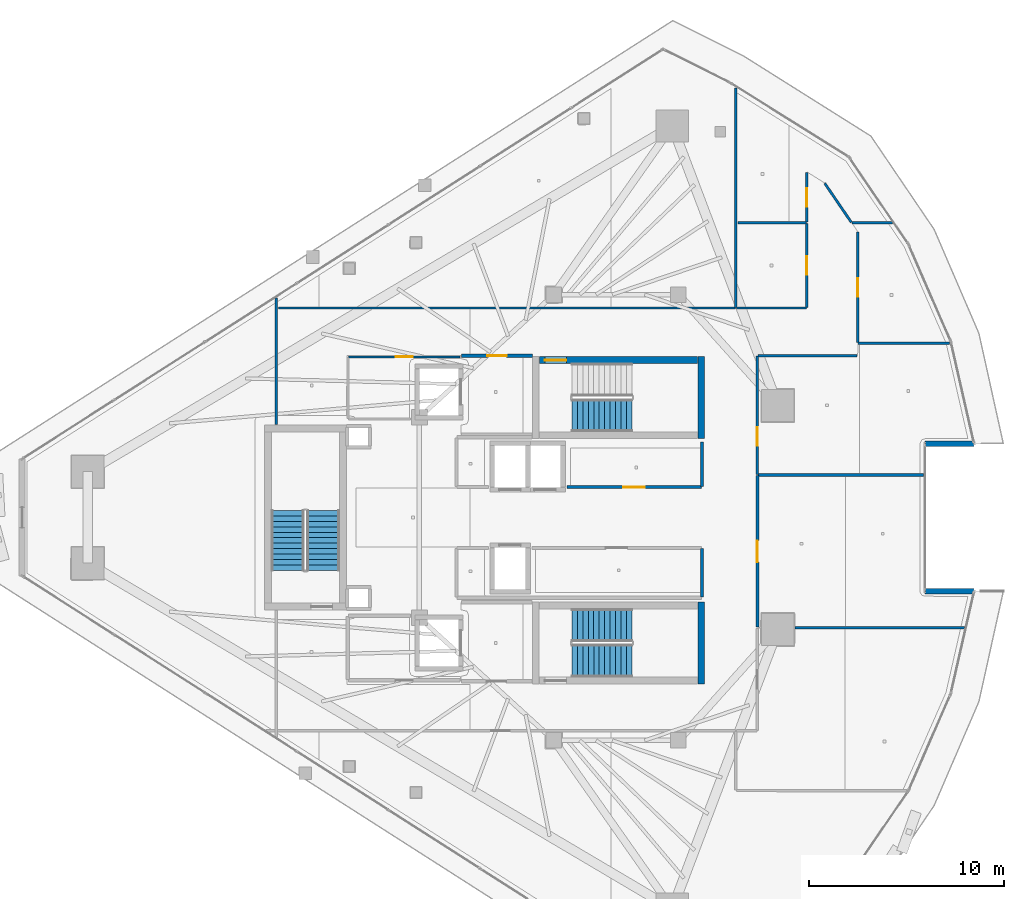
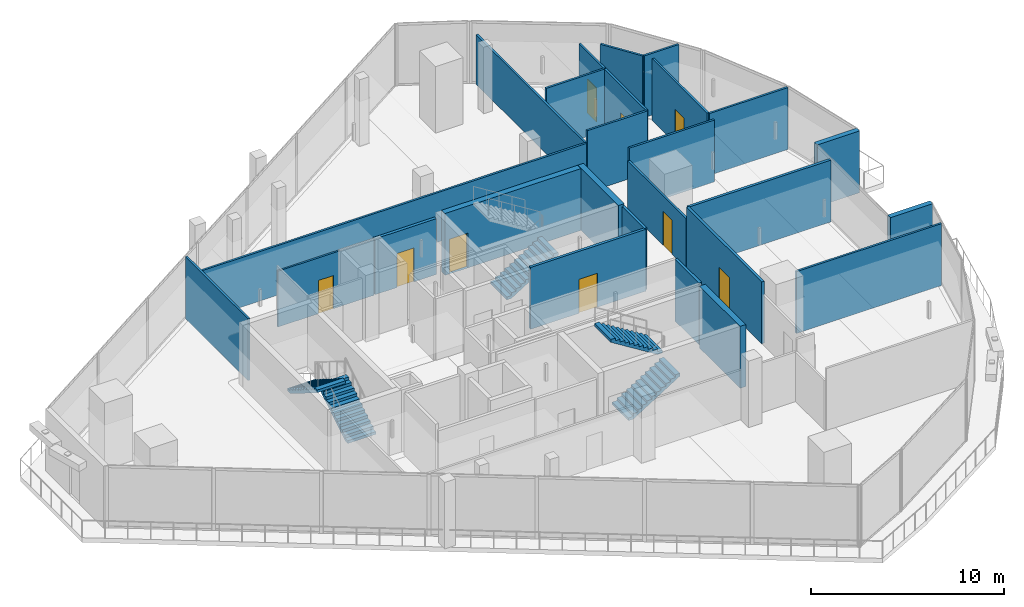
# One storey, part 26 of 34: 26 walls, 9 doors, 5 stair flights, 9 openings, 3 elements without a shape of their own.
"""IFC4 building model written with IfcOpenShell, lengths in metres."""

from ifc_helpers import new_model, si_unit, direction, frame, frame_2d, origin, place, context, subcontext, project, spatial, polyline, rectangle, outline, extrude, material, layer, layer_set, type_object, element, fill, aggregate, save


model = new_model("IFC4")

# Units and contexts
model_context = context("Model", 3, precision=1e-05, world=origin(), true_north=direction((0.0, 1.0)))
body_context = subcontext(model_context, "Body", "Model", "MODEL_VIEW")
ifc_project = project(units=[si_unit("LENGTHUNIT", "METRE"), si_unit("AREAUNIT", "SQUARE_METRE"), si_unit("VOLUMEUNIT", "CUBIC_METRE"), si_unit("PLANEANGLEUNIT", "RADIAN"), si_unit("MASSUNIT", "GRAM", prefix="KILO")], contexts=[model_context])

# Site, building, storey
site_placement = place(None, origin())
site = spatial("IfcSite", under=ifc_project, at=site_placement, CompositionType="ELEMENT")
building_placement = place(site_placement, origin())
building = spatial("IfcBuilding", under=site, at=building_placement, Name="Qorvath Tower", CompositionType="ELEMENT")
storey_placement = place(building_placement, frame((0.0, 0.0, 268.199951171875)))
storey = spatial("IfcBuildingStorey", under=building, at=storey_placement, Name="L62", CompositionType="ELEMENT", Elevation=268.199951171875)

# Wall, opening, door
ifc_material_1 = material(Name="Gypsum shaftliner on steel studs", Category="steel")
ifc_layer_1 = layer(ifc_material_1, 0.179931640625)
ifc_layer_set_1 = layer_set([ifc_layer_1], Name="FW-LOBBY")
wall_type_1 = type_object("IfcWallType", Name="FW-LOBBY", PredefinedType="PARTITIONING", material=ifc_layer_set_1)
wall_1_placement = place(storey_placement, frame((-24.68408203125, 8.300048828125, 0.0), z_axis=(0.0, 0.0, 1.0), x_axis=(-1.0, 0.0, 0.0)))
wall_1 = element("IfcWall", 1, at=wall_1_placement, inside=storey, type_object=wall_type_1, Name="Interior Partition IW-T1-L62-002", PredefinedType="PARTITIONING", context=body_context, shape_type="SweptSolid", body=[
    extrude(rectangle(XDim=3.6708984375, YDim=0.179931640625, at=frame_2d((1.83544921875, 0.0))), origin(), (0.0, 0.0, 1.0), 3.529052734375),
])
opening_1_placement = place(wall_1_placement, frame((1.33544921875, 0.0, 0.0)))
opening_1 = element("IfcOpeningElement", 2, at=opening_1_placement, cuts=wall_1, Name="Opening D-T1-L62-01", PredefinedType="OPENING", context=body_context, shape_type="SweptSolid", body=[
    extrude(rectangle(XDim=1.0, YDim=2.14990234375, at=frame_2d((0.5, 1.074951171875))), frame((0.0, 0.10009765625, 0.0), z_axis=(0.0, -1.0, 0.0), x_axis=(1.0, 0.0, 0.0)), (0.0, 0.0, 1.0), 0.199951171875),
])
ifc_material_2 = material(Name="Painted galvanised hollow metal", Category="steel")
door_type_1 = type_object("IfcDoorType", Name="FD-60", OperationType="NOTDEFINED", PredefinedType="DOOR", material=ifc_material_2)
door_1_placement = place(opening_1_placement, origin())
door_1 = element("IfcDoor", 3, at=door_1_placement, inside=storey, type_object=door_type_1, Name="Lobby Fire Service Elevator North Door D-T1-L62-01", OperationType="SINGLE_SWING_RIGHT", OverallHeight=2.14990234375, OverallWidth=1.0, PredefinedType="DOOR", context=body_context, shape_type="SweptSolid", body=[
    extrude(rectangle(XDim=1.0, YDim=2.14990234375, at=frame_2d((0.5, 1.074951171875))), frame((0.0, 0.02490234375, 0.0), z_axis=(0.0, -1.0, 0.0), x_axis=(1.0, 0.0, 0.0)), (0.0, 0.0, 1.0), 0.050048828125),
])
fill(opening_1, door_1)

ifc_material_3 = material(Name="Double acoustic gypsum board on steel studs", Category="steel")
ifc_layer_2 = layer(ifc_material_3, 0.159912109375)
ifc_layer_set_2 = layer_set([ifc_layer_2], Name="IW-ACOUSTIC-160")
wall_type_2 = type_object("IfcWallType", Name="IW-ACOUSTIC-160", PredefinedType="PARTITIONING", material=ifc_layer_set_2)
wall_2_placement = place(storey_placement, frame((-22.933837890625, 1.56005859375, 0.0), z_axis=(0.0, 0.0, 1.0), x_axis=(1.0, 0.0, 0.0)))
wall_2 = element("IfcWall", 4, at=wall_2_placement, inside=storey, type_object=wall_type_2, Name="Interior Partition IW-T1-L62-010", PredefinedType="PARTITIONING", context=body_context, shape_type="SweptSolid", body=[
    extrude(rectangle(XDim=6.908935546875, YDim=0.159912109375, at=frame_2d((3.45458984375, 0.0))), origin(), (0.0, 0.0, 1.0), 3.91015625),
])
opening_2_placement = place(wall_2_placement, frame((2.904541015625, 0.0, 0.0)))
opening_2 = element("IfcOpeningElement", 5, at=opening_2_placement, cuts=wall_2, Name="Opening D-T1-L62-04", PredefinedType="OPENING", context=body_context, shape_type="SweptSolid", body=[
    extrude(rectangle(XDim=1.10009765625, YDim=2.14990234375, at=frame_2d((0.550048828125, 1.074951171875))), frame((0.0, 0.08984375, 0.0), z_axis=(0.0, -1.0, 0.0), x_axis=(1.0, 0.0, 0.0)), (0.0, 0.0, 1.0), 0.179931640625),
])
ifc_material_4 = material(Name="Anodised aluminium acoustic framed glass", Category="aluminium")
door_type_2 = type_object("IfcDoorType", Name="D-03", OperationType="NOTDEFINED", PredefinedType="DOOR", material=ifc_material_4)
door_2_placement = place(opening_2_placement, origin())
door_2 = element("IfcDoor", 6, at=door_2_placement, inside=storey, type_object=door_type_2, Name="L62-RCN North Executive Boardroom Door D-T1-L62-04", OperationType="SINGLE_SWING_LEFT", OverallHeight=2.14990234375, OverallWidth=1.10009765625, PredefinedType="DOOR", context=body_context, shape_type="SweptSolid", body=[
    extrude(rectangle(XDim=1.10009765625, YDim=2.14990234375, at=frame_2d((0.550048828125, 1.074951171875))), frame((0.0, 0.02490234375, 0.0), z_axis=(0.0, -1.0, 0.0), x_axis=(1.0, 0.0, 0.0)), (0.0, 0.0, 1.0), 0.050048828125),
])
fill(opening_2, door_2)

# Walls
wall_3_placement = place(storey_placement, frame((-16.0, 1.585205078125, 0.0), z_axis=(0.0, 0.0, 1.0), x_axis=(0.0, 1.0, 0.0)))
element("IfcWall", 7, at=wall_3_placement, inside=storey, type_object=wall_type_2, Name="Interior Partition IW-T1-L62-011", PredefinedType="PARTITIONING", context=body_context, shape_type="SweptSolid", body=[
    extrude(rectangle(XDim=2.30224609375, YDim=0.159912109375, at=frame_2d((1.151123046875, 0.0))), origin(), (0.0, 0.0, 1.0), 3.91015625),
])
wall_4_placement = place(storey_placement, frame((-16.0, -4.09521484375, 0.0), z_axis=(0.0, 0.0, 1.0), x_axis=(0.0, 1.0, 0.0)))
element("IfcWall", 8, at=wall_4_placement, inside=storey, type_object=wall_type_2, Name="Interior Partition IW-T1-L62-015", PredefinedType="PARTITIONING", context=body_context, shape_type="SweptSolid", body=[
    extrude(rectangle(XDim=2.510009765625, YDim=0.159912109375, at=frame_2d((1.2548828125, 0.0))), origin(), (0.0, 0.0, 1.0), 3.91015625),
])
wall_5_placement = place(storey_placement, frame((-4.61865234375, 2.18408203125, 0.0), z_axis=(0.0, 0.0, 1.0), x_axis=(-1.0, 0.0, 0.0)))
element("IfcWall", 9, at=wall_5_placement, inside=storey, type_object=wall_type_2, Name="Interior Partition IW-T1-L62-031", PredefinedType="PARTITIONING", context=body_context, shape_type="SweptSolid", body=[
    extrude(rectangle(XDim=8.49853515625, YDim=0.159912109375, at=frame_2d((4.249267578125, 0.0))), origin(), (0.0, 0.0, 1.0), 3.91015625),
])

# Wall, opening, door
wall_6_placement = place(storey_placement, frame((-13.14208984375, 2.1591796875, 0.0), z_axis=(0.0, 0.0, 1.0), x_axis=(0.0, -1.0, 0.0)))
wall_6 = element("IfcWall", 10, at=wall_6_placement, inside=storey, type_object=wall_type_2, Name="Interior Partition IW-T1-L62-032", PredefinedType="PARTITIONING", context=body_context, shape_type="SweptSolid", body=[
    extrude(rectangle(XDim=7.79296875, YDim=0.159912109375, at=frame_2d((3.896484375, 0.0))), origin(), (0.0, 0.0, 1.0), 3.91015625),
])
opening_3_placement = place(wall_6_placement, frame((3.346435546875, 0.0, 0.0)))
opening_3 = element("IfcOpeningElement", 11, at=opening_3_placement, cuts=wall_6, Name="Opening D-T1-L62-09", PredefinedType="OPENING", context=body_context, shape_type="SweptSolid", body=[
    extrude(rectangle(XDim=1.10009765625, YDim=2.14990234375, at=frame_2d((0.550048828125, 1.074951171875))), frame((0.0, 0.08984375, 0.0), z_axis=(0.0, -1.0, 0.0), x_axis=(1.0, 0.0, 0.0)), (0.0, 0.0, 1.0), 0.179931640625),
])
door_3_placement = place(opening_3_placement, origin())
door_3 = element("IfcDoor", 12, at=door_3_placement, inside=storey, type_object=door_type_2, Name="L62-03 Client Services Office Door D-T1-L62-09", OperationType="SINGLE_SWING_RIGHT", OverallHeight=2.14990234375, OverallWidth=1.10009765625, PredefinedType="DOOR", context=body_context, shape_type="SweptSolid", body=[
    extrude(rectangle(XDim=1.10009765625, YDim=2.14990234375, at=frame_2d((0.550048828125, 1.074951171875))), frame((0.0, 0.02490234375, 0.0), z_axis=(0.0, -1.0, 0.0), x_axis=(1.0, 0.0, 0.0)), (0.0, 0.0, 1.0), 0.050048828125),
])
fill(opening_3, door_3)

# Walls
ifc_material_5 = material(Name="Gypsum board on metal studs with mineral wool", Category="gypsum")
ifc_layer_3 = layer(ifc_material_5, 0.125)
ifc_layer_set_3 = layer_set([ifc_layer_3], Name="IW-PART-125")
wall_type_3 = type_object("IfcWallType", Name="IW-PART-125", PredefinedType="PARTITIONING", material=ifc_layer_set_3)
wall_7_placement = place(storey_placement, frame((-37.85791015625, 11.265380859375, 0.0), z_axis=(0.0, 0.0, 1.0), x_axis=(0.0, -1.0, 0.0)))
element("IfcWall", 13, at=wall_7_placement, inside=storey, type_object=wall_type_3, Name="Interior Partition IW-T1-L62-025", PredefinedType="PARTITIONING", context=body_context, shape_type="SweptSolid", body=[
    extrude(rectangle(XDim=6.482177734375, YDim=0.125, at=frame_2d((3.2412109375, 0.0))), origin(), (0.0, 0.0, 1.0), 3.91015625),
])
wall_8_placement = place(storey_placement, frame((-14.27490234375, 10.758056640625, 0.0), z_axis=(0.0, 0.0, 1.0), x_axis=(-1.0, 0.0, 0.0)))
element("IfcWall", 14, at=wall_8_placement, inside=storey, type_object=wall_type_3, Name="Interior Partition IW-T1-L62-026", PredefinedType="PARTITIONING", context=body_context, shape_type="SweptSolid", body=[
    extrude(rectangle(XDim=23.472900390625, YDim=0.125, at=frame_2d((11.736328125, 0.0))), origin(), (0.0, 0.0, 1.0), 3.130126953125),
])
wall_9_placement = place(storey_placement, frame((-14.25, 10.783203125, 0.0), z_axis=(0.0, 0.0, 1.0), x_axis=(0.0, 1.0, 0.0)))
element("IfcWall", 15, at=wall_9_placement, inside=storey, type_object=wall_type_3, Name="Interior Partition IW-T1-L62-027", PredefinedType="PARTITIONING", context=body_context, shape_type="SweptSolid", body=[
    extrude(rectangle(XDim=11.279541015625, YDim=0.125, at=frame_2d((5.6396484375, 0.0))), origin(), (0.0, 0.0, 1.0), 3.130126953125),
])
wall_10_placement = place(storey_placement, frame((-2.519775390625, -5.666748046875, 0.0), z_axis=(0.0, 0.0, 1.0), x_axis=(-1.0, 0.0, 0.0)))
element("IfcWall", 16, at=wall_10_placement, inside=storey, type_object=wall_type_3, Name="Interior Partition IW-T1-L62-028", PredefinedType="PARTITIONING", context=body_context, shape_type="SweptSolid", body=[
    extrude(rectangle(XDim=8.68701171875, YDim=0.125, at=frame_2d((4.343505859375, 0.0))), origin(), (0.0, 0.0, 1.0), 3.91015625),
])
wall_11_placement = place(storey_placement, frame((-3.26806640625, 8.943115234375, 0.0), z_axis=(0.0, 0.0, 1.0), x_axis=(-1.0, 0.0, 0.0)))
element("IfcWall", 17, at=wall_11_placement, inside=storey, type_object=wall_type_3, Name="Interior Partition IW-T1-L62-033", PredefinedType="PARTITIONING", context=body_context, shape_type="SweptSolid", body=[
    extrude(rectangle(XDim=4.69873046875, YDim=0.125, at=frame_2d((2.349365234375, 0.0))), origin(), (0.0, 0.0, 1.0), 3.91015625),
])
wall_12_placement = place(storey_placement, frame((-8.016845703125, 8.31201171875, 0.0), z_axis=(0.0, 0.0, 1.0), x_axis=(-1.0, 0.0, 0.0)))
element("IfcWall", 18, at=wall_12_placement, inside=storey, type_object=wall_type_3, Name="Interior Partition IW-T1-L62-034", PredefinedType="PARTITIONING", context=body_context, shape_type="SweptSolid", body=[
    extrude(rectangle(XDim=5.100341796875, YDim=0.125, at=frame_2d((2.55029296875, 0.0))), origin(), (0.0, 0.0, 1.0), 3.91015625),
])

# Wall, opening, door
wall_13_placement = place(storey_placement, frame((-13.14208984375, 8.287109375, 0.0), z_axis=(0.0, 0.0, 1.0), x_axis=(0.0, -1.0, 0.0)))
wall_13 = element("IfcWall", 19, at=wall_13_placement, inside=storey, type_object=wall_type_3, Name="Interior Partition IW-T1-L62-035", PredefinedType="PARTITIONING", context=body_context, shape_type="SweptSolid", body=[
    extrude(rectangle(XDim=6.070068359375, YDim=0.125, at=frame_2d((3.03515625, 0.0))), origin(), (0.0, 0.0, 1.0), 3.130126953125),
])
opening_4_placement = place(wall_13_placement, frame((3.6572265625, 0.0, 0.0)))
opening_4 = element("IfcOpeningElement", 20, at=opening_4_placement, cuts=wall_13, Name="Opening D-T1-L62-10", PredefinedType="OPENING", context=body_context, shape_type="SweptSolid", body=[
    extrude(rectangle(XDim=0.949951171875, YDim=2.14990234375, at=frame_2d((0.47509765625, 1.074951171875))), frame((0.0, 0.072509765625, 0.0), z_axis=(0.0, -1.0, 0.0), x_axis=(1.0, 0.0, 0.0)), (0.0, 0.0, 1.0), 0.14501953125),
])
ifc_material_6 = material(Name="Solid-core American white oak veneer", Category="wood")
door_type_3 = type_object("IfcDoorType", Name="D-01", OperationType="NOTDEFINED", PredefinedType="DOOR", material=ifc_material_6)
door_4_placement = place(opening_4_placement, origin())
door_4 = element("IfcDoor", 21, at=door_4_placement, inside=storey, type_object=door_type_3, Name="L62-04 Project Collaboration Workspace Door D-T1-L62-10", OperationType="SINGLE_SWING_LEFT", OverallHeight=2.14990234375, OverallWidth=0.949951171875, PredefinedType="DOOR", context=body_context, shape_type="SweptSolid", body=[
    extrude(rectangle(XDim=0.949951171875, YDim=2.14990234375, at=frame_2d((0.47509765625, 1.074951171875))), frame((0.0, 0.02490234375, 0.0), z_axis=(0.0, -1.0, 0.0), x_axis=(1.0, 0.0, 0.0)), (0.0, 0.0, 1.0), 0.050048828125),
])
fill(opening_4, door_4)

# Wall
wall_14_placement = place(storey_placement, frame((-6.2138671875, 15.133544921875, 0.0), z_axis=(0.0, 0.0, 1.0), x_axis=(-1.0, 0.0, 0.0)))
element("IfcWall", 22, at=wall_14_placement, inside=storey, type_object=wall_type_3, Name="Interior Partition IW-T1-L62-036", PredefinedType="PARTITIONING", context=body_context, shape_type="SweptSolid", body=[
    extrude(rectangle(XDim=2.063720703125, YDim=0.125, at=frame_2d((1.03173828125, 0.0))), origin(), (0.0, 0.0, 1.0), 3.91015625),
])

# Wall, opening, door
wall_15_placement = place(storey_placement, frame((-7.991943359375, 14.653076171875, 0.0), z_axis=(0.0, 0.0, 1.0), x_axis=(0.0, -1.0, 0.0)))
wall_15 = element("IfcWall", 23, at=wall_15_placement, inside=storey, type_object=wall_type_3, Name="Interior Partition IW-T1-L62-037", PredefinedType="PARTITIONING", context=body_context, shape_type="SweptSolid", body=[
    extrude(rectangle(XDim=5.6767578125, YDim=0.125, at=frame_2d((2.83837890625, 0.0))), origin(), (0.0, 0.0, 1.0), 3.91015625),
])
opening_5_placement = place(wall_15_placement, frame((2.36328125, 0.0, 0.0)))
opening_5 = element("IfcOpeningElement", 24, at=opening_5_placement, cuts=wall_15, Name="Opening D-T1-L62-12", PredefinedType="OPENING", context=body_context, shape_type="SweptSolid", body=[
    extrude(rectangle(XDim=0.949951171875, YDim=2.14990234375, at=frame_2d((0.47509765625, 1.074951171875))), frame((0.0, 0.072509765625, 0.0), z_axis=(0.0, -1.0, 0.0), x_axis=(1.0, 0.0, 0.0)), (0.0, 0.0, 1.0), 0.14501953125),
])
door_5_placement = place(opening_5_placement, origin())
door_5 = element("IfcDoor", 25, at=door_5_placement, inside=storey, type_object=door_type_3, Name="L62-05 Staff Wellness Studio Door D-T1-L62-12", OperationType="SINGLE_SWING_LEFT", OverallHeight=2.14990234375, OverallWidth=0.949951171875, PredefinedType="DOOR", context=body_context, shape_type="SweptSolid", body=[
    extrude(rectangle(XDim=0.949951171875, YDim=2.14990234375, at=frame_2d((0.47509765625, 1.074951171875))), frame((0.0, 0.02490234375, 0.0), z_axis=(0.0, -1.0, 0.0), x_axis=(1.0, 0.0, 0.0)), (0.0, 0.0, 1.0), 0.050048828125),
])
fill(opening_5, door_5)

# Wall
wall_16_placement = place(storey_placement, frame((-14.216796875, 10.758056640625, 0.0), z_axis=(0.0, 0.0, 1.0), x_axis=(1.0, 0.0, 0.0)))
element("IfcWall", 26, at=wall_16_placement, inside=storey, type_object=wall_type_3, Name="Interior Partition IW-T1-L62-038", PredefinedType="PARTITIONING", context=body_context, shape_type="SweptSolid", body=[
    extrude(rectangle(XDim=3.583984375, YDim=0.125, at=frame_2d((1.7919921875, 0.0))), origin(), (0.0, 0.0, 1.0), 3.91015625),
])

# Wall, opening, door
wall_17_placement = place(storey_placement, frame((-10.60791015625, 10.783203125, 0.0), z_axis=(0.0, 0.0, 1.0), x_axis=(0.0, 1.0, 0.0)))
wall_17 = element("IfcWall", 27, at=wall_17_placement, inside=storey, type_object=wall_type_3, Name="Interior Partition IW-T1-L62-039", PredefinedType="PARTITIONING", context=body_context, shape_type="SweptSolid", body=[
    extrude(rectangle(XDim=4.3251953125, YDim=0.125, at=frame_2d((2.16259765625, 0.0))), origin(), (0.0, 0.0, 1.0), 3.91015625),
])
opening_6_placement = place(wall_17_placement, frame((1.6875, 0.0, 0.0)))
opening_6 = element("IfcOpeningElement", 28, at=opening_6_placement, cuts=wall_17, Name="Opening D-T1-L62-11", PredefinedType="OPENING", context=body_context, shape_type="SweptSolid", body=[
    extrude(rectangle(XDim=0.949951171875, YDim=2.14990234375, at=frame_2d((0.47509765625, 1.074951171875))), frame((0.0, 0.072509765625, 0.0), z_axis=(0.0, -1.0, 0.0), x_axis=(1.0, 0.0, 0.0)), (0.0, 0.0, 1.0), 0.14501953125),
])
door_6_placement = place(opening_6_placement, origin())
door_6 = element("IfcDoor", 29, at=door_6_placement, inside=storey, type_object=door_type_3, Name="L62-06 Design Pin-Up Atelier Door D-T1-L62-11", OperationType="SINGLE_SWING_RIGHT", OverallHeight=2.14990234375, OverallWidth=0.949951171875, PredefinedType="DOOR", context=body_context, shape_type="SweptSolid", body=[
    extrude(rectangle(XDim=0.949951171875, YDim=2.14990234375, at=frame_2d((0.47509765625, 1.074951171875))), frame((0.0, 0.02490234375, 0.0), z_axis=(0.0, -1.0, 0.0), x_axis=(1.0, 0.0, 0.0)), (0.0, 0.0, 1.0), 0.050048828125),
])
fill(opening_6, door_6)

# Wall
wall_18_placement = place(storey_placement, frame((-10.6328125, 15.133544921875, 0.0), z_axis=(0.0, 0.0, 1.0), x_axis=(-1.0, 0.0, 0.0)))
element("IfcWall", 30, at=wall_18_placement, inside=storey, type_object=wall_type_3, Name="Interior Partition IW-T1-L62-040", PredefinedType="PARTITIONING", context=body_context, shape_type="SweptSolid", body=[
    extrude(rectangle(XDim=3.507080078125, YDim=0.125, at=frame_2d((1.75341796875, 0.0))), origin(), (0.0, 0.0, 1.0), 3.91015625),
])

# Wall, opening, door
wall_19_placement = place(storey_placement, frame((-10.60791015625, 15.16650390625, 0.0), z_axis=(0.0, 0.0, 1.0), x_axis=(0.0, 1.0, 0.0)))
wall_19 = element("IfcWall", 31, at=wall_19_placement, inside=storey, type_object=wall_type_3, Name="Interior Partition IW-T1-L62-041", PredefinedType="PARTITIONING", context=body_context, shape_type="SweptSolid", body=[
    extrude(rectangle(XDim=2.55908203125, YDim=0.125, at=frame_2d((1.279541015625, 0.0))), origin(), (0.0, 0.0, 1.0), 3.91015625),
])
opening_7_placement = place(wall_19_placement, frame((0.804443359375, 0.0, 0.0)))
opening_7 = element("IfcOpeningElement", 32, at=opening_7_placement, cuts=wall_19, Name="Opening D-T1-L62-13", PredefinedType="OPENING", context=body_context, shape_type="SweptSolid", body=[
    extrude(rectangle(XDim=0.949951171875, YDim=2.14990234375, at=frame_2d((0.47509765625, 1.074951171875))), frame((0.0, 0.072509765625, 0.0), z_axis=(0.0, -1.0, 0.0), x_axis=(1.0, 0.0, 0.0)), (0.0, 0.0, 1.0), 0.14501953125),
])
door_7_placement = place(opening_7_placement, origin())
door_7 = element("IfcDoor", 33, at=door_7_placement, inside=storey, type_object=door_type_3, Name="L62-07 Executive Partner Office Door D-T1-L62-13", OperationType="SINGLE_SWING_RIGHT", OverallHeight=2.14990234375, OverallWidth=0.949951171875, PredefinedType="DOOR", context=body_context, shape_type="SweptSolid", body=[
    extrude(rectangle(XDim=0.949951171875, YDim=2.14990234375, at=frame_2d((0.47509765625, 1.074951171875))), frame((0.0, 0.02490234375, 0.0), z_axis=(0.0, -1.0, 0.0), x_axis=(1.0, 0.0, 0.0)), (0.0, 0.0, 1.0), 0.050048828125),
])
fill(opening_7, door_7)

# Wall
wall_20_placement = place(storey_placement, frame((-8.322021484375, 15.162353515625, 0.0), z_axis=(0.0, 0.0, 1.0), x_axis=(-0.563220914523, 0.826306360525, 0.0)))
element("IfcWall", 34, at=wall_20_placement, inside=storey, type_object=wall_type_3, Name="Interior Partition IW-T1-L62-042", PredefinedType="PARTITIONING", context=body_context, shape_type="SweptSolid", body=[
    extrude(rectangle(XDim=2.41845703125, YDim=0.125, at=frame_2d((1.209228515625, 0.0))), origin(), (0.0, 0.0, 1.0), 3.91015625),
])

# Wall, opening, door
ifc_material_7 = material(Name="Moisture-resistant cement board on metal studs", Category="gypsum")
ifc_layer_4 = layer(ifc_material_7, 0.110107421875)
ifc_layer_set_4 = layer_set([ifc_layer_4], Name="IW-WC-110")
wall_type_4 = type_object("IfcWallType", Name="IW-WC-110", PredefinedType="PARTITIONING", material=ifc_layer_set_4)
wall_21_placement = place(storey_placement, frame((-28.412841796875, 8.25, 0.0), z_axis=(0.0, 0.0, 1.0), x_axis=(-1.0, 0.0, 0.0)))
wall_21 = element("IfcWall", 35, at=wall_21_placement, inside=storey, type_object=wall_type_4, Name="Interior Partition IW-T1-L62-007", PredefinedType="PARTITIONING", context=body_context, shape_type="SweptSolid", body=[
    extrude(rectangle(XDim=5.741943359375, YDim=0.110107421875, at=frame_2d((2.87109375, 0.0))), origin(), (0.0, 0.0, 1.0), 3.529052734375),
])
opening_8_placement = place(wall_21_placement, frame((2.430908203125, 0.0, 0.0)))
opening_8 = element("IfcOpeningElement", 36, at=opening_8_placement, cuts=wall_21, Name="Opening D-T1-L62-03", PredefinedType="OPENING", context=body_context, shape_type="SweptSolid", body=[
    extrude(rectangle(XDim=0.8798828125, YDim=2.10009765625, at=frame_2d((0.43994140625, 1.050048828125))), frame((0.0, 0.06494140625, 0.0), z_axis=(0.0, -1.0, 0.0), x_axis=(1.0, 0.0, 0.0)), (0.0, 0.0, 1.0), 0.130126953125),
])
ifc_material_8 = material(Name="Solid-core oak with acoustic drop seal", Category="wood")
door_type_4 = type_object("IfcDoorType", Name="D-02", OperationType="NOTDEFINED", PredefinedType="DOOR", material=ifc_material_8)
door_8_placement = place(opening_8_placement, origin())
door_8 = element("IfcDoor", 37, at=door_8_placement, inside=storey, type_object=door_type_4, Name="Accessible WC North L62 Door D-T1-L62-03", OperationType="SINGLE_SWING_RIGHT", OverallHeight=2.10009765625, OverallWidth=0.8798828125, PredefinedType="DOOR", context=body_context, shape_type="SweptSolid", body=[
    extrude(rectangle(XDim=0.8798828125, YDim=2.10009765625, at=frame_2d((0.43994140625, 1.050048828125))), frame((0.0, 0.02490234375, 0.0), z_axis=(0.0, -1.0, 0.0), x_axis=(1.0, 0.0, 0.0)), (0.0, 0.0, 1.0), 0.050048828125),
])
fill(opening_8, door_8)

# Wall
ifc_material_9 = material(Name="Concrete C60/75", Category="concrete")
ifc_layer_5 = layer(ifc_material_9, 0.35009765625)
ifc_layer_set_5 = layer_set([ifc_layer_5], Name="SW-STAIR")
wall_type_5 = type_object("IfcWallType", Name="SW-STAIR", PredefinedType="SHEAR", material=ifc_layer_set_5)
wall_22_placement = place(storey_placement, frame((-16.02490234375, 4.050048828125, 0.0), z_axis=(0.0, 0.0, 1.0), x_axis=(0.0, 1.0, 0.0)))
element("IfcWall", 38, at=wall_22_placement, inside=storey, type_object=wall_type_5, Name="Stair TS1 Shear Wall L62 FAR", PredefinedType="SHEAR", context=body_context, shape_type="SweptSolid", body=[
    extrude(rectangle(XDim=4.2099609375, YDim=0.35009765625, at=frame_2d((2.10498046875, 0.0))), origin(), (0.0, 0.0, 1.0), 3.91015625),
])

# Wall, opening, door
wall_23_placement = place(storey_placement, frame((-16.215087890625, 8.0849609375, 0.0), z_axis=(0.0, 0.0, 1.0), x_axis=(-1.0, 0.0, 0.0)))
wall_23 = element("IfcWall", 39, at=wall_23_placement, inside=storey, type_object=wall_type_5, Name="Stair TS1 Shear Wall L62 RIGHT", PredefinedType="SHEAR", context=body_context, shape_type="SweptSolid", body=[
    extrude(rectangle(XDim=8.119873046875, YDim=0.35009765625, at=frame_2d((4.06005859375, 0.0))), origin(), (0.0, 0.0, 1.0), 3.91015625),
])
opening_9_placement = place(wall_23_placement, frame((6.739990234375, 0.0, 0.0)))
opening_9 = element("IfcOpeningElement", 40, at=opening_9_placement, cuts=wall_23, Name="Opening D-TS1-L62", PredefinedType="OPENING", context=body_context, shape_type="SweptSolid", body=[
    extrude(rectangle(XDim=1.10009765625, YDim=2.199951171875, at=frame_2d((0.550048828125, 1.10009765625))), frame((0.0, 0.18505859375, 0.0), z_axis=(0.0, -1.0, 0.0), x_axis=(1.0, 0.0, 0.0)), (0.0, 0.0, 1.0), 0.3701171875),
])
ifc_material_10 = material(Name="Painted galvanised hollow metal", Category="steel")
door_type_5 = type_object("IfcDoorType", Name="FD-90", OperationType="NOTDEFINED", PredefinedType="DOOR", material=ifc_material_10)
door_9_placement = place(opening_9_placement, origin())
door_9 = element("IfcDoor", 41, at=door_9_placement, inside=storey, type_object=door_type_5, Name="Stair TS1 Fire Door L62", OperationType="SINGLE_SWING_LEFT", OverallHeight=2.199951171875, OverallWidth=1.10009765625, PredefinedType="DOOR", context=body_context, shape_type="SweptSolid", body=[
    extrude(rectangle(XDim=1.10009765625, YDim=2.199951171875, at=frame_2d((0.550048828125, 1.10009765625))), frame((0.0, 0.02490234375, 0.0), z_axis=(0.0, -1.0, 0.0), x_axis=(1.0, 0.0, 0.0)), (0.0, 0.0, 1.0), 0.050048828125),
])
fill(opening_9, door_9)

# Walls
wall_24_placement = place(storey_placement, frame((-16.02490234375, -8.550048828125, 0.0), z_axis=(0.0, 0.0, 1.0), x_axis=(0.0, 1.0, 0.0)))
element("IfcWall", 42, at=wall_24_placement, inside=storey, type_object=wall_type_5, Name="Stair TS2 Shear Wall L62 FAR", PredefinedType="SHEAR", context=body_context, shape_type="SweptSolid", body=[
    extrude(rectangle(XDim=4.2099609375, YDim=0.35009765625, at=frame_2d((2.10498046875, 0.0))), origin(), (0.0, 0.0, 1.0), 3.91015625),
])
ifc_material_11 = material(Name="Precast concrete C45/55", Category="concrete")
ifc_layer_6 = layer(ifc_material_11, 0.300048828125)
ifc_layer_set_6 = layer_set([ifc_layer_6], Name="WL-EW-LOG-300")
wall_type_6 = type_object("IfcWallType", Name="WL-EW-LOG-300", PredefinedType="SOLIDWALL", material=ifc_layer_set_6)
for number, where, z_axis, x_axis, name in (
    (43, (-2.011474609375, -3.790771484375, 0.0), (0.0, 0.0, 1.0), (-1.0, 0.0, 0.0), "Tower Precast Loggia Wall L62-8.1"),
    (44, (-4.538818359375, 3.790771484375, 0.0), (0.0, 0.0, 1.0), (1.0, 0.0, 0.0), "Tower Precast Loggia Wall L62-10.1"),
):
    element("IfcWall", number, at=place(storey_placement, frame(where, z_axis=z_axis, x_axis=x_axis)), inside=storey, type_object=wall_type_6, Name=name, PredefinedType="SOLIDWALL", context=body_context, shape_type="SweptSolid", body=[
        extrude(rectangle(XDim=2.52734375, YDim=0.300048828125, at=frame_2d((1.263671875, 0.0))), origin(), (0.0, 0.0, 1.0), 3.91015625),
    ])

# Stair, stair flight
ifc_material_12 = material(Name="Concrete C50/60", Category="concrete")
stair_type = type_object("IfcStairType", Name="ST-H420", PredefinedType="HALF_TURN_STAIR", material=ifc_material_12)
stair_1_placement = place(storey_placement, origin())
stair_1 = element("IfcStair", 45, at=stair_1_placement, inside=storey, type_object=stair_type, Name="L62 Tower Exit Stair 1", PredefinedType="HALF_TURN_STAIR")
ifc_material_13 = material(Name="Concrete C50/60", Category="concrete")
ifc_layer_7 = layer(ifc_material_13, 0.14990234375)
ifc_layer_set_7 = layer_set([ifc_layer_7], Name="SF-H420")
stair_flight_type = type_object("IfcStairFlightType", Name="SF-H420", PredefinedType="STRAIGHT", material=ifc_layer_set_7)
stair_flight_1_placement = place(storey_placement, frame((-22.669921875, 5.239990234375, 0.0), z_axis=(0.0, 0.0, 1.0), x_axis=(1.0, 0.0, 0.0)))
stair_flight_1 = element("IfcStairFlight", 46, at=stair_flight_1_placement, type_object=stair_flight_type, Name="TS1 flight 1", NumberOfRisers=12, NumberOfTreads=11, PredefinedType="STRAIGHT", RiserHeight=0.175, TreadLength=0.28, context=body_context, shape_type="SweptSolid", body=[
    extrude(outline(polyline([(0.0, 0.0), (0.0, 0.175048828125), (0.280029296875, 0.175048828125), (0.280029296875, 0.35009765625), (0.56005859375, 0.35009765625), (0.56005859375, 0.52490234375), (0.840087890625, 0.52490234375), (0.840087890625, 0.699951171875), (1.1201171875, 0.699951171875), (1.1201171875, 0.875), (1.39990234375, 0.875), (1.39990234375, 1.050048828125), (1.679931640625, 1.050048828125), (1.679931640625, 1.22509765625), (1.9599609375, 1.22509765625), (1.9599609375, 1.39990234375), (2.239990234375, 1.39990234375), (2.239990234375, 1.574951171875), (2.52001953125, 1.574951171875), (2.52001953125, 1.75), (2.800048828125, 1.75), (2.800048828125, 1.925048828125), (3.080078125, 1.925048828125), (3.080078125, 2.10009765625), (3.080078125, 1.748291015625), (0.28271484375, 0.0), (0.0, 0.0)])), frame((0.0, 0.83984375, 0.0), z_axis=(0.0, -1.0, 0.0), x_axis=(1.0, 0.0, 0.0)), (0.0, 0.0, 1.0), 1.679931640625),
])
aggregate(stair_1, [stair_flight_1])

# Stair, stair flights
stair_2_placement = place(storey_placement, origin())
stair_2 = element("IfcStair", 47, at=stair_2_placement, inside=storey, type_object=stair_type, Name="L62 Tower Exit Stair 2", PredefinedType="HALF_TURN_STAIR")
stair_flight_2_placement = place(storey_placement, frame((-22.669921875, -7.360107421875, 0.0), z_axis=(0.0, 0.0, 1.0), x_axis=(1.0, 0.0, 0.0)))
stair_flight_2 = element("IfcStairFlight", 48, at=stair_flight_2_placement, type_object=stair_flight_type, Name="TS2 flight 1", NumberOfRisers=12, NumberOfTreads=11, PredefinedType="STRAIGHT", RiserHeight=0.175, TreadLength=0.28, context=body_context, shape_type="SweptSolid", body=[
    extrude(outline(polyline([(0.0, 0.0), (0.0, 0.175048828125), (0.280029296875, 0.175048828125), (0.280029296875, 0.35009765625), (0.56005859375, 0.35009765625), (0.56005859375, 0.52490234375), (0.840087890625, 0.52490234375), (0.840087890625, 0.699951171875), (1.1201171875, 0.699951171875), (1.1201171875, 0.875), (1.39990234375, 0.875), (1.39990234375, 1.050048828125), (1.679931640625, 1.050048828125), (1.679931640625, 1.22509765625), (1.9599609375, 1.22509765625), (1.9599609375, 1.39990234375), (2.239990234375, 1.39990234375), (2.239990234375, 1.574951171875), (2.52001953125, 1.574951171875), (2.52001953125, 1.75), (2.800048828125, 1.75), (2.800048828125, 1.925048828125), (3.080078125, 1.925048828125), (3.080078125, 2.10009765625), (3.080078125, 1.748291015625), (0.28271484375, 0.0), (0.0, 0.0)])), frame((0.0, 0.83984375, 0.0), z_axis=(0.0, -1.0, 0.0), x_axis=(1.0, 0.0, 0.0)), (0.0, 0.0, 1.0), 1.679931640625),
])
stair_flight_3_placement = place(storey_placement, frame((-19.590087890625, -5.530029296875, 2.10009765625), z_axis=(0.0, 0.0, 1.0), x_axis=(-1.0, 0.0, 0.0)))
stair_flight_3 = element("IfcStairFlight", 49, at=stair_flight_3_placement, type_object=stair_flight_type, Name="TS2 flight 2", NumberOfRisers=12, NumberOfTreads=11, PredefinedType="STRAIGHT", RiserHeight=0.175, TreadLength=0.28, context=body_context, shape_type="SweptSolid", body=[
    extrude(outline(polyline([(0.0, 0.0), (0.0, 0.175048828125), (0.280029296875, 0.175048828125), (0.280029296875, 0.35009765625), (0.56005859375, 0.35009765625), (0.56005859375, 0.52490234375), (0.840087890625, 0.52490234375), (0.840087890625, 0.699951171875), (1.1201171875, 0.699951171875), (1.1201171875, 0.875), (1.39990234375, 0.875), (1.39990234375, 1.050048828125), (1.679931640625, 1.050048828125), (1.679931640625, 1.22509765625), (1.9599609375, 1.22509765625), (1.9599609375, 1.39990234375), (2.239990234375, 1.39990234375), (2.239990234375, 1.574951171875), (2.52001953125, 1.574951171875), (2.52001953125, 1.75), (2.800048828125, 1.75), (2.800048828125, 1.925048828125), (3.080078125, 1.925048828125), (3.080078125, 2.10009765625), (3.080078125, 1.748291015625), (0.28271484375, 0.0), (0.0, 0.0)])), frame((0.0, 0.83984375, 0.0), z_axis=(0.0, -1.0, 0.0), x_axis=(1.0, 0.0, 0.0)), (0.0, 0.0, 1.0), 1.679931640625),
])
aggregate(stair_2, [stair_flight_2, stair_flight_3])

stair_3_placement = place(storey_placement, origin())
stair_3 = element("IfcStair", 50, at=stair_3_placement, inside=storey, type_object=stair_type, Name="L62 Tower Exit Stair 3", PredefinedType="HALF_TURN_STAIR")
stair_flight_4_placement = place(storey_placement, frame((-35.43994140625, -2.719970703125, 0.0), z_axis=(0.0, 0.0, 1.0), x_axis=(0.0, 1.0, 0.0)))
stair_flight_4 = element("IfcStairFlight", 51, at=stair_flight_4_placement, type_object=stair_flight_type, Name="TS3 flight 1", NumberOfRisers=12, NumberOfTreads=11, PredefinedType="STRAIGHT", RiserHeight=0.175, TreadLength=0.28, context=body_context, shape_type="SweptSolid", body=[
    extrude(outline(polyline([(0.0, 0.0), (0.0, 0.175048828125), (0.280029296875, 0.175048828125), (0.280029296875, 0.35009765625), (0.56005859375, 0.35009765625), (0.56005859375, 0.52490234375), (0.840087890625, 0.52490234375), (0.840087890625, 0.699951171875), (1.1201171875, 0.699951171875), (1.1201171875, 0.875), (1.39990234375, 0.875), (1.39990234375, 1.050048828125), (1.679931640625, 1.050048828125), (1.679931640625, 1.22509765625), (1.9599609375, 1.22509765625), (1.9599609375, 1.39990234375), (2.239990234375, 1.39990234375), (2.239990234375, 1.574951171875), (2.52001953125, 1.574951171875), (2.52001953125, 1.75), (2.800048828125, 1.75), (2.800048828125, 1.925048828125), (3.080078125, 1.925048828125), (3.080078125, 2.10009765625), (3.080078125, 1.748291015625), (0.28271484375, 0.0), (0.0, 0.0)])), frame((0.0, 0.83984375, 0.0), z_axis=(0.0, -1.0, 0.0), x_axis=(1.0, 0.0, 0.0)), (0.0, 0.0, 1.0), 1.679931640625),
])
stair_flight_5_placement = place(storey_placement, frame((-37.27001953125, 0.360107421875, 2.10009765625), z_axis=(0.0, 0.0, 1.0), x_axis=(0.0, -1.0, 0.0)))
stair_flight_5 = element("IfcStairFlight", 52, at=stair_flight_5_placement, type_object=stair_flight_type, Name="TS3 flight 2", NumberOfRisers=12, NumberOfTreads=11, PredefinedType="STRAIGHT", RiserHeight=0.175, TreadLength=0.28, context=body_context, shape_type="SweptSolid", body=[
    extrude(outline(polyline([(0.0, 0.0), (0.0, 0.175048828125), (0.280029296875, 0.175048828125), (0.280029296875, 0.35009765625), (0.56005859375, 0.35009765625), (0.56005859375, 0.52490234375), (0.840087890625, 0.52490234375), (0.840087890625, 0.699951171875), (1.1201171875, 0.699951171875), (1.1201171875, 0.875), (1.39990234375, 0.875), (1.39990234375, 1.050048828125), (1.679931640625, 1.050048828125), (1.679931640625, 1.22509765625), (1.9599609375, 1.22509765625), (1.9599609375, 1.39990234375), (2.239990234375, 1.39990234375), (2.239990234375, 1.574951171875), (2.52001953125, 1.574951171875), (2.52001953125, 1.75), (2.800048828125, 1.75), (2.800048828125, 1.925048828125), (3.080078125, 1.925048828125), (3.080078125, 2.10009765625), (3.080078125, 1.748291015625), (0.28271484375, 0.0), (0.0, 0.0)])), frame((0.0, 0.83984375, 0.0), z_axis=(0.0, -1.0, 0.0), x_axis=(1.0, 0.0, 0.0)), (0.0, 0.0, 1.0), 1.679931640625),
])
aggregate(stair_3, [stair_flight_4, stair_flight_5])

save(model, "model.ifc")
